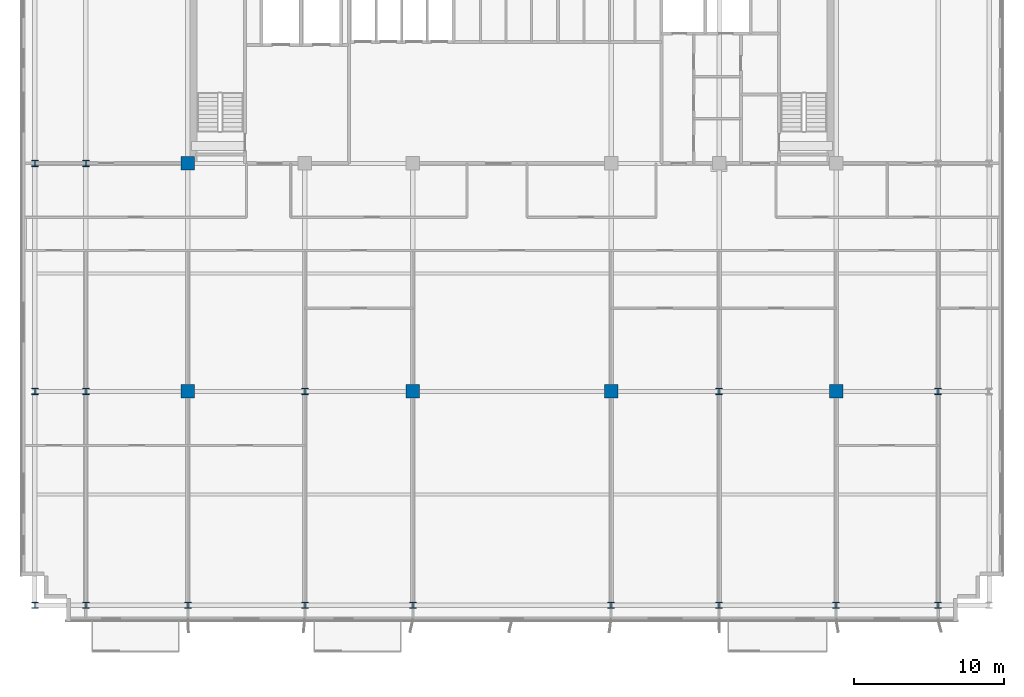
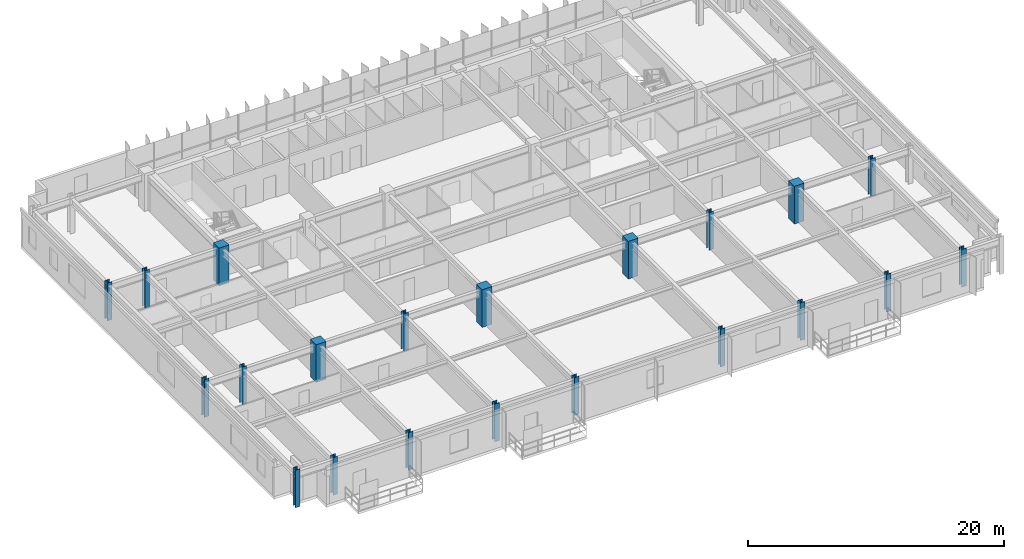
# One storey, part 1 of 21: 21 columns.
"""IFC4 building model written with IfcOpenShell, lengths in metres."""

from ifc_helpers import new_model, si_unit, direction, frame, origin, origin_2d, place, context, subcontext, project, spatial, rectangle, i_section, extrude, source, transform, mapped, material, material_profile, profile_set, type_object, element, save


model = new_model("IFC4")

# Units and contexts
model_context = context("Model", 3, precision=1e-05, world=origin(), true_north=direction((0.0, 1.0)))
body_context = subcontext(model_context, "Body", "Model", "MODEL_VIEW")
ifc_project = project(units=[si_unit("LENGTHUNIT", "METRE"), si_unit("AREAUNIT", "SQUARE_METRE"), si_unit("VOLUMEUNIT", "CUBIC_METRE"), si_unit("PLANEANGLEUNIT", "RADIAN"), si_unit("MASSUNIT", "GRAM", prefix="KILO")], contexts=[model_context])

# Site, building, storey
site_placement = place(None, origin())
site = spatial("IfcSite", under=ifc_project, at=site_placement, CompositionType="ELEMENT")
building_placement = place(site_placement, origin())
building = spatial("IfcBuilding", under=site, at=building_placement, Name="Trelvane Seafront Commons", CompositionType="ELEMENT")
storey_placement = place(building_placement, frame((0.0, 0.0, 34.300048828125)))
storey = spatial("IfcBuildingStorey", under=building, at=storey_placement, Name="L08", CompositionType="ELEMENT", Elevation=34.300048828125)

# Columns
ifc_material_1 = material(Name="Steel SM355 (S355)", Category="steel")
ifc_material_profile_1 = material_profile(ifc_material_1, i_section(OverallWidth=0.419921875, OverallDepth=0.419921875, WebThickness=0.02587890625, FlangeThickness=0.0400390625, at=origin_2d()), Name="HD-420x420x26x40")
ifc_profile_set_1 = profile_set([ifc_material_profile_1], Name="Steel SM355 (S355)")
column_type_1 = type_object("IfcColumnType", Name="STR-COL-HD420", PredefinedType="COLUMN", material=ifc_profile_set_1)
shared_shape_1 = source(origin(), body_context, "Body", "SweptSolid", [
    extrude(i_section(OverallWidth=0.419921875, OverallDepth=0.419921875, WebThickness=0.02587890625, FlangeThickness=0.0400390625, at=origin_2d()), origin(), (0.0, 0.0, 1.0), 3.599853515625),
])
for number, where, z_axis, x_axis, name in (
    (1, (5.39990234375, 3.949951171875, 0.0), (0.0, 0.0, 1.0), (1.0, 0.0, 0.0), "L08 Column TC-S5.4"),
    (2, (5.39990234375, 18.199951171875, 0.0), (0.0, 0.0, 1.0), (1.0, 0.0, 0.0), "L08 Column TC-M5.4"),
    (3, (5.39990234375, 33.39990234375, 0.0), (0.0, 0.0, 1.0), (1.0, 0.0, 0.0), "L08 Column TC-CS5.4"),
    (4, (8.800048828125, 3.949951171875, 0.0), (0.0, 0.0, 1.0), (1.0, 0.0, 0.0), "L08 Column TC-S8.8"),
    (5, (8.800048828125, 18.199951171875, 0.0), (0.0, 0.0, 1.0), (1.0, 0.0, 0.0), "L08 Column TC-M8.8"),
    (6, (8.800048828125, 33.39990234375, 0.0), (0.0, 0.0, 1.0), (1.0, 0.0, 0.0), "L08 Column TC-CS8.8"),
    (7, (15.60009765625, 3.949951171875, 0.0), (0.0, 0.0, 1.0), (1.0, 0.0, 0.0), "L08 Column TC-S15.6"),
    (8, (23.39990234375, 3.949951171875, 0.0), (0.0, 0.0, 1.0), (1.0, 0.0, 0.0), "L08 Column TC-S23.4"),
    (9, (23.39990234375, 18.199951171875, 0.0), (0.0, 0.0, 1.0), (1.0, 0.0, 0.0), "L08 Column TC-M23.4"),
    (10, (30.60009765625, 3.949951171875, 0.0), (0.0, 0.0, 1.0), (1.0, 0.0, 0.0), "L08 Column TC-S30.6"),
    (11, (43.800048828125, 3.949951171875, 0.0), (0.0, 0.0, 1.0), (1.0, 0.0, 0.0), "L08 Column TC-S43.8"),
    (12, (51.0, 3.949951171875, 0.0), (0.0, 0.0, 1.0), (1.0, 0.0, 0.0), "L08 Column TC-S51.0"),
    (13, (51.0, 18.199951171875, 0.0), (0.0, 0.0, 1.0), (1.0, 0.0, 0.0), "L08 Column TC-M51.0"),
    (14, (58.800048828125, 3.949951171875, 0.0), (0.0, 0.0, 1.0), (1.0, 0.0, 0.0), "L08 Column TC-S58.8"),
    (15, (65.60009765625, 3.949951171875, 0.0), (0.0, 0.0, 1.0), (1.0, 0.0, 0.0), "L08 Column TC-S65.6"),
    (16, (65.60009765625, 18.199951171875, 0.0), (0.0, 0.0, 1.0), (1.0, 0.0, 0.0), "L08 Column TC-M65.6"),
):
    element("IfcColumn", number, at=place(storey_placement, frame(where, z_axis=z_axis, x_axis=x_axis)), inside=storey, type_object=column_type_1, Name=name, PredefinedType="COLUMN", context=body_context, shape_type="MappedRepresentation", body=[
        mapped(shared_shape_1, transform((0.0, 0.0, 0.0), x_axis=(1.0, 0.0, 0.0), y_axis=(0.0, 1.0, 0.0), z_axis=(0.0, 0.0, 1.0), scale=1.0)),
    ])
ifc_material_2 = material(Name="Concrete C60/75", Category="concrete")
ifc_material_profile_2 = material_profile(ifc_material_2, rectangle(XDim=0.89990234375, YDim=0.89990234375, at=origin_2d()), Name="RC-900x900")
ifc_profile_set_2 = profile_set([ifc_material_profile_2], Name="Concrete C60/75")
column_type_2 = type_object("IfcColumnType", Name="STR-COL-RC900", PredefinedType="COLUMN", material=ifc_profile_set_2)
shared_shape_2 = source(origin(), body_context, "Body", "SweptSolid", [
    extrude(rectangle(XDim=0.89990234375, YDim=0.89990234375, at=origin_2d()), origin(), (0.0, 0.0, 1.0), 3.599853515625),
])
for number, where, z_axis, x_axis, name in (
    (17, (15.60009765625, 18.199951171875, 0.0), (0.0, 0.0, 1.0), (1.0, 0.0, 0.0), "L08 Column TC-M15.6"),
    (18, (15.60009765625, 33.39990234375, 0.0), (0.0, 0.0, 1.0), (1.0, 0.0, 0.0), "L08 Column TC-CS15.6"),
    (19, (30.60009765625, 18.199951171875, 0.0), (0.0, 0.0, 1.0), (1.0, 0.0, 0.0), "L08 Column TC-M30.6"),
    (20, (43.800048828125, 18.199951171875, 0.0), (0.0, 0.0, 1.0), (1.0, 0.0, 0.0), "L08 Column TC-M43.8"),
    (21, (58.800048828125, 18.199951171875, 0.0), (0.0, 0.0, 1.0), (1.0, 0.0, 0.0), "L08 Column TC-M58.8"),
):
    element("IfcColumn", number, at=place(storey_placement, frame(where, z_axis=z_axis, x_axis=x_axis)), inside=storey, type_object=column_type_2, Name=name, PredefinedType="COLUMN", context=body_context, shape_type="MappedRepresentation", body=[
        mapped(shared_shape_2, transform((0.0, 0.0, 0.0), x_axis=(1.0, 0.0, 0.0), y_axis=(0.0, 1.0, 0.0), z_axis=(0.0, 0.0, 1.0), scale=1.0)),
    ])

save(model, "model.ifc")
